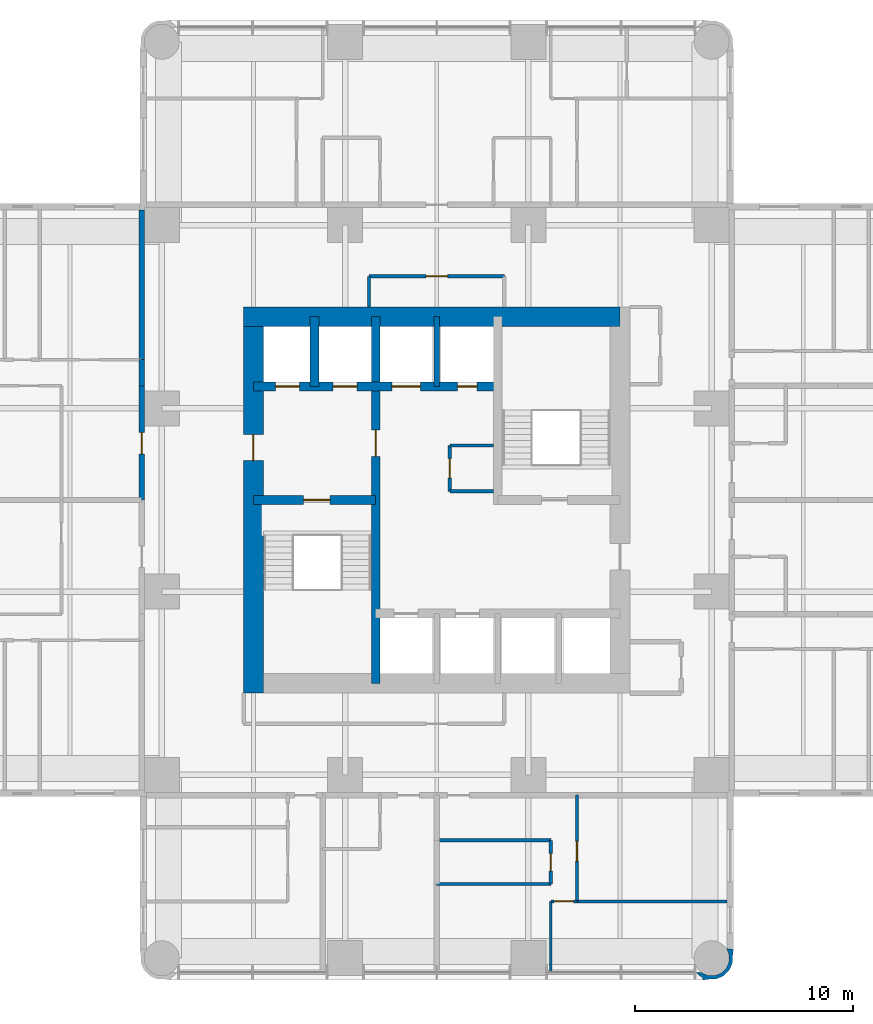
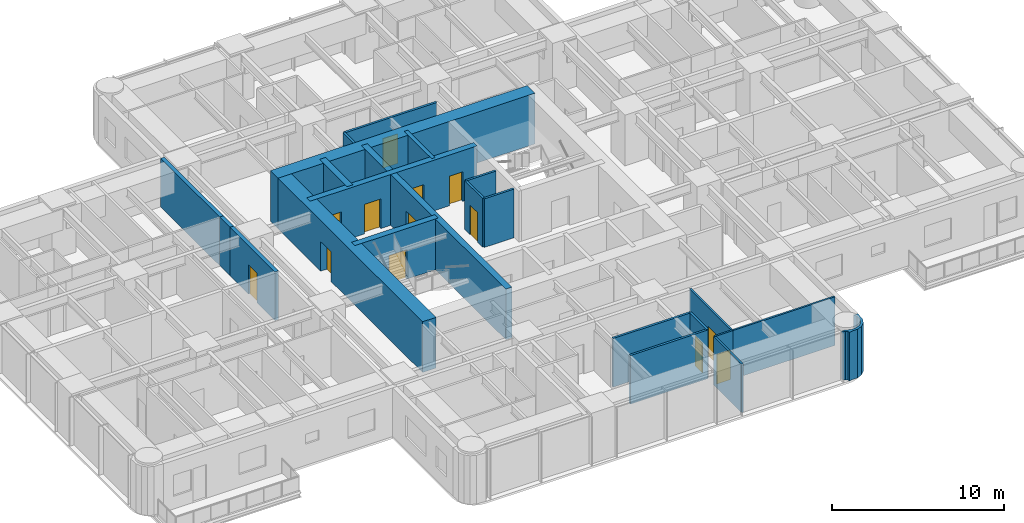
# One storey, part 8 of 14: 23 walls, 13 doors, 13 openings.
"""IFC4 building model written with IfcOpenShell, lengths in metres."""

from ifc_helpers import new_model, si_unit, direction, frame, frame_2d, origin, place, context, subcontext, project, spatial, polyline, rectangle, outline, extrude, material, layer, layer_set, type_object, element, fill, save


model = new_model("IFC4")

# Units and contexts
model_context = context("Model", 3, precision=1e-05, world=origin(), true_north=direction((0.0, 1.0)))
body_context = subcontext(model_context, "Body", "Model", "MODEL_VIEW")
ifc_project = project(units=[si_unit("LENGTHUNIT", "METRE"), si_unit("AREAUNIT", "SQUARE_METRE"), si_unit("VOLUMEUNIT", "CUBIC_METRE"), si_unit("PLANEANGLEUNIT", "RADIAN"), si_unit("MASSUNIT", "GRAM", prefix="KILO")], contexts=[model_context])

# Site, building, storey
site_placement = place(None, origin())
site = spatial("IfcSite", under=ifc_project, at=site_placement, CompositionType="ELEMENT")
building_placement = place(site_placement, origin())
building = spatial("IfcBuilding", under=site, at=building_placement, Name="Torre Alcanfor", CompositionType="ELEMENT")
storey_placement = place(building_placement, frame((0.0, 0.0, 166.5)))
storey = spatial("IfcBuildingStorey", under=building, at=storey_placement, Name="L43", CompositionType="ELEMENT", Elevation=166.5)

# Wall, opening, door
ifc_material_1 = material(Name="Concrete block masonry, hollow blocks NMX-C-404 9 MPa", Category="masonry")
ifc_layer_1 = layer(ifc_material_1, 0.25)
ifc_layer_set_1 = layer_set([ifc_layer_1], Name="Apartment entrance wall 250 EI 60")
wall_type_1 = type_object("IfcWallType", Name="Apartment entrance wall 250 EI 60", PredefinedType="PARTITIONING", material=ifc_layer_set_1)
wall_1_placement = place(storey_placement, frame((15.875, 29.39990234375, 0.0), z_axis=(0.0, 0.0, 1.0), x_axis=(0.0, 1.0, 0.0)))
wall_1 = element("IfcWall", 1, at=wall_1_placement, inside=storey, type_object=wall_type_1, Name="Partition L43-CORR / L43-W2-ZAG", PredefinedType="PARTITIONING", context=body_context, shape_type="SweptSolid", body=[
    extrude(rectangle(XDim=5.22900390625, YDim=0.25, at=frame_2d((2.614501953125, 0.0))), origin(), (0.0, 0.0, 1.0), 3.449951171875),
])
opening_1_placement = place(wall_1_placement, frame((2.10009765625, 0.0, 0.0)))
opening_1 = element("IfcOpeningElement", 2, at=opening_1_placement, cuts=wall_1, Name="Opening D-A1", PredefinedType="OPENING", context=body_context, shape_type="SweptSolid", body=[
    extrude(rectangle(XDim=1.0, YDim=2.10009765625, at=frame_2d((0.5, 1.050048828125))), frame((0.0, 0.135009765625, 0.0), z_axis=(0.0, -1.0, 0.0), x_axis=(1.0, 0.0, 0.0)), (0.0, 0.0, 1.0), 0.27001953125),
])
ifc_material_2 = material(Name="Galvanised steel sheet ASTM A653", Category="steel")
door_type_1 = type_object("IfcDoorType", Name="Apartment entrance door FD60 1000x2100", OperationType="SINGLE_SWING_LEFT", PredefinedType="DOOR", material=ifc_material_2)
door_1_placement = place(opening_1_placement, origin())
door_1 = element("IfcDoor", 3, at=door_1_placement, inside=storey, type_object=door_type_1, Name="Apartment entrance L43-W2", OperationType="SINGLE_SWING_LEFT", OverallHeight=2.10009765625, OverallWidth=1.0, PredefinedType="DOOR", context=body_context, shape_type="SweptSolid", body=[
    extrude(rectangle(XDim=1.0, YDim=2.10009765625, at=frame_2d((0.5, 1.050048828125))), frame((0.0, 0.02490234375, 0.0), z_axis=(0.0, -1.0, 0.0), x_axis=(1.0, 0.0, 0.0)), (0.0, 0.0, 1.0), 0.050048828125),
])
fill(opening_1, door_1)

# Walls
wall_2_placement = place(storey_placement, frame((15.875, 34.62890625, 0.0), z_axis=(0.0, 0.0, 1.0), x_axis=(0.0, 1.0, 0.0)))
element("IfcWall", 4, at=wall_2_placement, inside=storey, type_object=wall_type_1, Name="Partition L43-CORR / L43-W2-HALL", PredefinedType="PARTITIONING", context=body_context, shape_type="SweptSolid", body=[
    extrude(rectangle(XDim=1.2001953125, YDim=0.25, at=frame_2d((0.60009765625, 0.0))), origin(), (0.0, 0.0, 1.0), 3.449951171875),
])
wall_3_placement = place(storey_placement, frame((15.875, 35.8291015625, 0.0), z_axis=(0.0, 0.0, 1.0), x_axis=(0.0, 1.0, 0.0)))
element("IfcWall", 5, at=wall_3_placement, inside=storey, type_object=wall_type_1, Name="Partition L43-CORR / L43-W2-BED2", PredefinedType="PARTITIONING", context=body_context, shape_type="SweptSolid", body=[
    extrude(rectangle(XDim=6.870849609375, YDim=0.25, at=frame_2d((3.435546875, 0.0))), origin(), (0.0, 0.0, 1.0), 3.449951171875),
])

# Wall, opening, door
ifc_material_3 = material(Name="Gypsum board on steel studs", Category="steel")
ifc_layer_2 = layer(ifc_material_3, 0.1201171875)
ifc_layer_set_2 = layer_set([ifc_layer_2], Name="Apartment partition 120")
wall_type_2 = type_object("IfcWallType", Name="Apartment partition 120", PredefinedType="PARTITIONING", material=ifc_layer_set_2)
wall_4_placement = place(storey_placement, frame((35.8291015625, 15.875, 0.0), z_axis=(0.0, 0.0, 1.0), x_axis=(0.0, -1.0, 0.0)))
wall_4 = element("IfcWall", 6, at=wall_4_placement, inside=storey, type_object=wall_type_2, Name="Partition L43-S1-LIVING / L43-S1-BED2", PredefinedType="PARTITIONING", context=body_context, shape_type="SweptSolid", body=[
    extrude(rectangle(XDim=4.875, YDim=0.1201171875, at=frame_2d((2.4375, 0.0))), origin(), (0.0, 0.0, 1.0), 3.449951171875),
])
opening_2_placement = place(wall_4_placement, frame((2.125, 0.0, 0.0)))
opening_2 = element("IfcOpeningElement", 7, at=opening_2_placement, cuts=wall_4, Name="Opening D-R1", PredefinedType="OPENING", context=body_context, shape_type="SweptSolid", body=[
    extrude(rectangle(XDim=0.89990234375, YDim=2.10009765625, at=frame_2d((0.449951171875, 1.050048828125))), frame((0.0, 0.070068359375, 0.0), z_axis=(0.0, -1.0, 0.0), x_axis=(1.0, 0.0, 0.0)), (0.0, 0.0, 1.0), 0.14013671875),
])
ifc_material_4 = material(Name="Timber", Category="wood")
door_type_2 = type_object("IfcDoorType", Name="Internal door 900x2100", OperationType="SINGLE_SWING_LEFT", PredefinedType="DOOR", material=ifc_material_4)
door_2_placement = place(opening_2_placement, origin())
door_2 = element("IfcDoor", 8, at=door_2_placement, inside=storey, type_object=door_type_2, Name="Door L43-S1 bed2", OperationType="SINGLE_SWING_RIGHT", OverallHeight=2.10009765625, OverallWidth=0.89990234375, PredefinedType="DOOR", context=body_context, shape_type="SweptSolid", body=[
    extrude(rectangle(XDim=0.89990234375, YDim=2.10009765625, at=frame_2d((0.449951171875, 1.050048828125))), frame((0.0, 0.02490234375, 0.0), z_axis=(0.0, -1.0, 0.0), x_axis=(1.0, 0.0, 0.0)), (0.0, 0.0, 1.0), 0.050048828125),
])
fill(opening_2, door_2)

wall_5_placement = place(storey_placement, frame((35.8291015625, 11.0, 0.0), z_axis=(0.0, 0.0, 1.0), x_axis=(-1.0, 0.0, 0.0)))
wall_5 = element("IfcWall", 9, at=wall_5_placement, inside=storey, type_object=wall_type_2, Name="Partition L43-S1-LIVING / L43-S1-MASTER", PredefinedType="PARTITIONING", context=body_context, shape_type="SweptSolid", body=[
    extrude(rectangle(XDim=1.2001953125, YDim=0.1201171875, at=frame_2d((0.60009765625, 0.0))), origin(), (0.0, 0.0, 1.0), 3.449951171875),
])
opening_3_placement = place(wall_5_placement, frame((0.14892578125, 0.0, 0.0)))
opening_3 = element("IfcOpeningElement", 10, at=opening_3_placement, cuts=wall_5, Name="Opening D-R1", PredefinedType="OPENING", context=body_context, shape_type="SweptSolid", body=[
    extrude(rectangle(XDim=0.89990234375, YDim=2.10009765625, at=frame_2d((0.449951171875, 1.050048828125))), frame((0.0, 0.070068359375, 0.0), z_axis=(0.0, -1.0, 0.0), x_axis=(1.0, 0.0, 0.0)), (0.0, 0.0, 1.0), 0.14013671875),
])
door_3_placement = place(opening_3_placement, origin())
door_3 = element("IfcDoor", 11, at=door_3_placement, inside=storey, type_object=door_type_2, Name="Door L43-S1 master", OperationType="SINGLE_SWING_RIGHT", OverallHeight=2.10009765625, OverallWidth=0.89990234375, PredefinedType="DOOR", context=body_context, shape_type="SweptSolid", body=[
    extrude(rectangle(XDim=0.89990234375, YDim=2.10009765625, at=frame_2d((0.449951171875, 1.050048828125))), frame((0.0, 0.02490234375, 0.0), z_axis=(0.0, -1.0, 0.0), x_axis=(1.0, 0.0, 0.0)), (0.0, 0.0, 1.0), 0.050048828125),
])
fill(opening_3, door_3)

# Walls
wall_6_placement = place(storey_placement, frame((34.62890625, 11.0, 0.0), z_axis=(0.0, 0.0, 1.0), x_axis=(0.0, -1.0, 0.0)))
element("IfcWall", 12, at=wall_6_placement, inside=storey, type_object=wall_type_2, Name="Partition L43-S1-LIVING / L43-S1-MASTER", PredefinedType="PARTITIONING", context=body_context, shape_type="SweptSolid", body=[
    extrude(rectangle(XDim=3.25, YDim=0.1201171875, at=frame_2d((1.625, 0.0))), origin(), (0.0, 0.0, 1.0), 3.449951171875),
])
wall_7_placement = place(storey_placement, frame((35.8291015625, 11.0, 0.0), z_axis=(0.0, 0.0, 1.0), x_axis=(1.0, 0.0, 0.0)))
element("IfcWall", 13, at=wall_7_placement, inside=storey, type_object=wall_type_2, Name="Partition L43-S1-BED2 / L43-S1-MASTER", PredefinedType="PARTITIONING", context=body_context, shape_type="SweptSolid", body=[
    extrude(rectangle(XDim=6.870849609375, YDim=0.1201171875, at=frame_2d((3.435546875, 0.0))), origin(), (0.0, 0.0, 1.0), 3.449951171875),
])

# Wall, opening, door
ifc_material_5 = material(Name="Concrete f'c 70 MPa", Category="concrete")
ifc_layer_3 = layer(ifc_material_5, 0.39990234375)
ifc_layer_set_3 = layer_set([ifc_layer_3], Name="Core inner wall 400 f'c70")
wall_type_3 = type_object("IfcWallType", Name="Core inner wall 400 f'c70", PredefinedType="SHEAR", material=ifc_layer_set_3)
wall_8_placement = place(storey_placement, frame((26.60009765625, 21.0, 0.0), z_axis=(0.0, 0.0, 1.0), x_axis=(0.0, 1.0, 0.0)))
wall_8 = element("IfcWall", 14, at=wall_8_placement, inside=storey, type_object=wall_type_3, Name="Core wall X266 L43", PredefinedType="SHEAR", context=body_context, shape_type="SweptSolid", body=[
    extrude(rectangle(XDim=16.800048828125, YDim=0.39990234375, at=frame_2d((8.39990234375, 0.0))), origin(), (0.0, 0.0, 1.0), 3.60009765625),
])
opening_4_placement = place(wall_8_placement, frame((10.39990234375, 0.0, 0.0)))
opening_4 = element("IfcOpeningElement", 15, at=opening_4_placement, cuts=wall_8, Name="Opening D-L1", PredefinedType="OPENING", context=body_context, shape_type="SweptSolid", body=[
    extrude(rectangle(XDim=1.199951171875, YDim=2.10009765625, at=frame_2d((0.60009765625, 1.050048828125))), frame((0.0, 0.2099609375, 0.0), z_axis=(0.0, -1.0, 0.0), x_axis=(1.0, 0.0, 0.0)), (0.0, 0.0, 1.0), 0.419921875),
])
ifc_material_6 = material(Name="Galvanised steel sheet ASTM A653", Category="steel")
door_type_3 = type_object("IfcDoorType", Name="Lobby door FD120 1200x2100", OperationType="SINGLE_SWING_LEFT", PredefinedType="DOOR", material=ifc_material_6)
door_4_placement = place(opening_4_placement, origin())
door_4 = element("IfcDoor", 16, at=door_4_placement, inside=storey, type_object=door_type_3, Name="Lift lobby door L43", OperationType="SINGLE_SWING_LEFT", OverallHeight=2.10009765625, OverallWidth=1.199951171875, PredefinedType="DOOR", context=body_context, shape_type="SweptSolid", body=[
    extrude(rectangle(XDim=1.199951171875, YDim=2.10009765625, at=frame_2d((0.60009765625, 1.050048828125))), frame((0.0, 0.02490234375, 0.0), z_axis=(0.0, -1.0, 0.0), x_axis=(1.0, 0.0, 0.0)), (0.0, 0.0, 1.0), 0.050048828125),
])
fill(opening_4, door_4)

wall_9_placement = place(storey_placement, frame((21.0, 29.39990234375, 0.0), z_axis=(0.0, 0.0, 1.0), x_axis=(1.0, 0.0, 0.0)))
wall_9 = element("IfcWall", 17, at=wall_9_placement, inside=storey, type_object=wall_type_3, Name="Core wall Y294W L43", PredefinedType="SHEAR", context=body_context, shape_type="SweptSolid", body=[
    extrude(rectangle(XDim=5.60009765625, YDim=0.39990234375, at=frame_2d((2.800048828125, 0.0))), origin(), (0.0, 0.0, 1.0), 3.60009765625),
])
opening_5_placement = place(wall_9_placement, frame((2.300048828125, 0.0, 0.0)))
opening_5 = element("IfcOpeningElement", 18, at=opening_5_placement, cuts=wall_9, Name="Opening D-S2", PredefinedType="OPENING", context=body_context, shape_type="SweptSolid", body=[
    extrude(rectangle(XDim=1.199951171875, YDim=2.10009765625, at=frame_2d((0.60009765625, 1.050048828125))), frame((0.0, 0.2099609375, 0.0), z_axis=(0.0, -1.0, 0.0), x_axis=(1.0, 0.0, 0.0)), (0.0, 0.0, 1.0), 0.419921875),
])
ifc_material_7 = material(Name="Galvanised steel sheet ASTM A653", Category="steel")
door_type_4 = type_object("IfcDoorType", Name="Stair enclosure door FD120 1200x2100", OperationType="SINGLE_SWING_LEFT", PredefinedType="DOOR", material=ifc_material_7)
door_5_placement = place(opening_5_placement, frame((1.199951171875, 0.0, 0.0), z_axis=(0.0, 0.0, 1.0), x_axis=(-1.0, 0.0, 0.0)))
door_5 = element("IfcDoor", 19, at=door_5_placement, inside=storey, type_object=door_type_4, Name="Stair S1 door L43", OperationType="SINGLE_SWING_LEFT", OverallHeight=2.10009765625, OverallWidth=1.199951171875, PredefinedType="DOOR", context=body_context, shape_type="SweptSolid", body=[
    extrude(rectangle(XDim=1.199951171875, YDim=2.10009765625, at=frame_2d((0.599853515625, 1.050048828125))), frame((0.0, 0.025146484375, 0.0), z_axis=(0.0, -1.0, 0.0), x_axis=(1.0, 0.0, 0.0)), (0.0, 0.0, 1.0), 0.050048828125),
])
fill(opening_5, door_5)

# Wall, openings, doors
wall_10_placement = place(storey_placement, frame((21.0, 34.60009765625, 0.0), z_axis=(0.0, 0.0, 1.0), x_axis=(1.0, 0.0, 0.0)))
wall_10 = element("IfcWall", 20, at=wall_10_placement, inside=storey, type_object=wall_type_3, Name="Core wall Y346 L43", PredefinedType="SHEAR", context=body_context, shape_type="SweptSolid", body=[
    extrude(rectangle(XDim=11.199951171875, YDim=0.39990234375, at=frame_2d((5.60009765625, 0.0))), origin(), (0.0, 0.0, 1.0), 3.60009765625),
])
opening_6_placement = place(wall_10_placement, frame((9.35009765625, 0.0, 0.0)))
opening_6 = element("IfcOpeningElement", 21, at=opening_6_placement, cuts=wall_10, Name="Opening D-Q1", PredefinedType="OPENING", context=body_context, shape_type="SweptSolid", body=[
    extrude(rectangle(XDim=0.89990234375, YDim=2.10009765625, at=frame_2d((0.449951171875, 1.050048828125))), frame((0.0, 0.2099609375, 0.0), z_axis=(0.0, -1.0, 0.0), x_axis=(1.0, 0.0, 0.0)), (0.0, 0.0, 1.0), 0.419921875),
])
opening_7_placement = place(wall_10_placement, frame((1.0, 0.0, 0.0)))
opening_7 = element("IfcOpeningElement", 22, at=opening_7_placement, cuts=wall_10, Name="Opening LD2", PredefinedType="OPENING", context=body_context, shape_type="SweptSolid", body=[
    extrude(rectangle(XDim=1.10009765625, YDim=2.10009765625, at=frame_2d((0.550048828125, 1.050048828125))), frame((0.0, 0.2099609375, 0.0), z_axis=(0.0, -1.0, 0.0), x_axis=(1.0, 0.0, 0.0)), (0.0, 0.0, 1.0), 0.419921875),
])
opening_8_placement = place(wall_10_placement, frame((3.64990234375, 0.0, 0.0)))
opening_8 = element("IfcOpeningElement", 23, at=opening_8_placement, cuts=wall_10, Name="Opening LD2", PredefinedType="OPENING", context=body_context, shape_type="SweptSolid", body=[
    extrude(rectangle(XDim=1.10009765625, YDim=2.10009765625, at=frame_2d((0.550048828125, 1.050048828125))), frame((0.0, 0.2099609375, 0.0), z_axis=(0.0, -1.0, 0.0), x_axis=(1.0, 0.0, 0.0)), (0.0, 0.0, 1.0), 0.419921875),
])
opening_9_placement = place(wall_10_placement, frame((6.35009765625, 0.0, 0.0)))
opening_9 = element("IfcOpeningElement", 24, at=opening_9_placement, cuts=wall_10, Name="Opening LD3", PredefinedType="OPENING", context=body_context, shape_type="SweptSolid", body=[
    extrude(rectangle(XDim=1.300048828125, YDim=2.10009765625, at=frame_2d((0.64990234375, 1.050048828125))), frame((0.0, 0.2099609375, 0.0), z_axis=(0.0, -1.0, 0.0), x_axis=(1.0, 0.0, 0.0)), (0.0, 0.0, 1.0), 0.419921875),
])
ifc_material_8 = material(Name="Galvanised steel sheet ASTM A653", Category="steel")
door_type_5 = type_object("IfcDoorType", Name="Firefighting lift landing door 1100x2100", OperationType="DOUBLE_DOOR_SLIDING", PredefinedType="DOOR", material=ifc_material_8)
door_6_placement = place(opening_7_placement, origin())
door_6 = element("IfcDoor", 25, at=door_6_placement, inside=storey, type_object=door_type_5, Name="Lift landing door FL1 L43", OperationType="DOUBLE_DOOR_SLIDING", OverallHeight=2.10009765625, OverallWidth=1.10009765625, PredefinedType="DOOR", context=body_context, shape_type="SweptSolid", body=[
    extrude(rectangle(XDim=1.10009765625, YDim=2.10009765625, at=frame_2d((0.550048828125, 1.050048828125))), frame((0.0, 0.02490234375, 0.0), z_axis=(0.0, -1.0, 0.0), x_axis=(1.0, 0.0, 0.0)), (0.0, 0.0, 1.0), 0.050048828125),
])
fill(opening_7, door_6)
door_7_placement = place(opening_8_placement, origin())
door_7 = element("IfcDoor", 26, at=door_7_placement, inside=storey, type_object=door_type_5, Name="Lift landing door FL2 L43", OperationType="DOUBLE_DOOR_SLIDING", OverallHeight=2.10009765625, OverallWidth=1.10009765625, PredefinedType="DOOR", context=body_context, shape_type="SweptSolid", body=[
    extrude(rectangle(XDim=1.10009765625, YDim=2.10009765625, at=frame_2d((0.550048828125, 1.050048828125))), frame((0.0, 0.02490234375, 0.0), z_axis=(0.0, -1.0, 0.0), x_axis=(1.0, 0.0, 0.0)), (0.0, 0.0, 1.0), 0.050048828125),
])
fill(opening_8, door_7)
ifc_material_9 = material(Name="Galvanised steel sheet ASTM A653", Category="steel")
door_type_6 = type_object("IfcDoorType", Name="Riser access door FD120 900x2100", OperationType="SINGLE_SWING_LEFT", PredefinedType="DOOR", material=ifc_material_9)
door_8_placement = place(opening_6_placement, origin())
door_8 = element("IfcDoor", 27, at=door_8_placement, inside=storey, type_object=door_type_6, Name="Riser door L43", OperationType="SINGLE_SWING_LEFT", OverallHeight=2.10009765625, OverallWidth=0.89990234375, PredefinedType="DOOR", context=body_context, shape_type="SweptSolid", body=[
    extrude(rectangle(XDim=0.89990234375, YDim=2.10009765625, at=frame_2d((0.449951171875, 1.050048828125))), frame((0.0, 0.02490234375, 0.0), z_axis=(0.0, -1.0, 0.0), x_axis=(1.0, 0.0, 0.0)), (0.0, 0.0, 1.0), 0.050048828125),
])
fill(opening_6, door_8)
ifc_material_10 = material(Name="Galvanised steel sheet ASTM A653", Category="steel")
door_type_7 = type_object("IfcDoorType", Name="Service lift landing door 1300x2100", OperationType="DOUBLE_DOOR_SLIDING", PredefinedType="DOOR", material=ifc_material_10)
door_9_placement = place(opening_9_placement, origin())
door_9 = element("IfcDoor", 28, at=door_9_placement, inside=storey, type_object=door_type_7, Name="Lift landing door SL1 L43", OperationType="DOUBLE_DOOR_SLIDING", OverallHeight=2.10009765625, OverallWidth=1.300048828125, PredefinedType="DOOR", context=body_context, shape_type="SweptSolid", body=[
    extrude(rectangle(XDim=1.300048828125, YDim=2.10009765625, at=frame_2d((0.64990234375, 1.050048828125))), frame((0.0, 0.02490234375, 0.0), z_axis=(0.0, -1.0, 0.0), x_axis=(1.0, 0.0, 0.0)), (0.0, 0.0, 1.0), 0.050048828125),
])
fill(opening_9, door_9)

# Walls
wall_11_placement = place(storey_placement, frame((23.800048828125, 34.60009765625, 0.0), z_axis=(0.0, 0.0, 1.0), x_axis=(0.0, 1.0, 0.0)))
element("IfcWall", 29, at=wall_11_placement, inside=storey, type_object=wall_type_3, Name="Core wall X238 L43", PredefinedType="SHEAR", context=body_context, shape_type="SweptSolid", body=[
    extrude(rectangle(XDim=3.199951171875, YDim=0.39990234375, at=frame_2d((1.60009765625, 0.0))), origin(), (0.0, 0.0, 1.0), 3.60009765625),
])
ifc_material_11 = material(Name="Concrete f'c 70 MPa", Category="concrete")
ifc_layer_4 = layer(ifc_material_11, 0.25)
ifc_layer_set_4 = layer_set([ifc_layer_4], Name="Core shaft wall 250 f'c70")
wall_type_4 = type_object("IfcWallType", Name="Core shaft wall 250 f'c70", PredefinedType="SHEAR", material=ifc_layer_set_4)
wall_12_placement = place(storey_placement, frame((29.39990234375, 34.60009765625, 0.0), z_axis=(0.0, 0.0, 1.0), x_axis=(0.0, 1.0, 0.0)))
element("IfcWall", 30, at=wall_12_placement, inside=storey, type_object=wall_type_4, Name="Core wall X294N L43", PredefinedType="SHEAR", context=body_context, shape_type="SweptSolid", body=[
    extrude(rectangle(XDim=3.199951171875, YDim=0.25, at=frame_2d((1.60009765625, 0.0))), origin(), (0.0, 0.0, 1.0), 3.60009765625),
])
ifc_material_12 = material(Name="Concrete f'c 70 MPa", Category="concrete")
ifc_layer_5 = layer(ifc_material_12, 0.89990234375)
ifc_layer_set_5 = layer_set([ifc_layer_5], Name="Core wall 900 f'c70")
wall_type_5 = type_object("IfcWallType", Name="Core wall 900 f'c70", PredefinedType="SHEAR", material=ifc_layer_set_5)
wall_13_placement = place(storey_placement, frame((37.800048828125, 37.800048828125, 0.0), z_axis=(0.0, 0.0, 1.0), x_axis=(-1.0, 0.0, 0.0)))
element("IfcWall", 31, at=wall_13_placement, inside=storey, type_object=wall_type_5, Name="Core wall OUT-N L43", PredefinedType="SHEAR", context=body_context, shape_type="SweptSolid", body=[
    extrude(rectangle(XDim=17.25, YDim=0.89990234375, at=frame_2d((8.625, 0.0))), origin(), (0.0, 0.0, 1.0), 3.60009765625),
])

# Wall, opening, door
wall_14_placement = place(storey_placement, frame((21.0, 37.800048828125, 0.0), z_axis=(0.0, 0.0, 1.0), x_axis=(0.0, -1.0, 0.0)))
wall_14 = element("IfcWall", 32, at=wall_14_placement, inside=storey, type_object=wall_type_5, Name="Core wall OUT-W L43", PredefinedType="SHEAR", context=body_context, shape_type="SweptSolid", body=[
    extrude(rectangle(XDim=17.25, YDim=0.89990234375, at=frame_2d((8.625, 0.0))), origin(), (0.0, 0.0, 1.0), 3.60009765625),
])
opening_10_placement = place(wall_14_placement, frame((5.39990234375, 0.0, 0.0)))
opening_10 = element("IfcOpeningElement", 33, at=opening_10_placement, cuts=wall_14, Name="Opening D-L1", PredefinedType="OPENING", context=body_context, shape_type="SweptSolid", body=[
    extrude(rectangle(XDim=1.199951171875, YDim=2.10009765625, at=frame_2d((0.60009765625, 1.050048828125))), frame((0.0, 0.4599609375, 0.0), z_axis=(0.0, -1.0, 0.0), x_axis=(1.0, 0.0, 0.0)), (0.0, 0.0, 1.0), 0.919921875),
])
door_10_placement = place(opening_10_placement, origin())
door_10 = element("IfcDoor", 34, at=door_10_placement, inside=storey, type_object=door_type_3, Name="Firefighting lobby door L43", OperationType="SINGLE_SWING_LEFT", OverallHeight=2.10009765625, OverallWidth=1.199951171875, PredefinedType="DOOR", context=body_context, shape_type="SweptSolid", body=[
    extrude(rectangle(XDim=1.199951171875, YDim=2.10009765625, at=frame_2d((0.60009765625, 1.050048828125))), frame((0.0, 0.02490234375, 0.0), z_axis=(0.0, -1.0, 0.0), x_axis=(1.0, 0.0, 0.0)), (0.0, 0.0, 1.0), 0.050048828125),
])
fill(opening_10, door_10)

ifc_material_13 = material(Name="Concrete block masonry, hollow blocks NMX-C-404 9 MPa", Category="masonry")
ifc_layer_6 = layer(ifc_material_13, 0.14990234375)
ifc_layer_set_6 = layer_set([ifc_layer_6], Name="Residents' room partition 150")
wall_type_6 = type_object("IfcWallType", Name="Residents' room partition 150", PredefinedType="PARTITIONING", material=ifc_layer_set_6)
wall_15_placement = place(storey_placement, frame((32.5, 39.64990234375, 0.0), z_axis=(0.0, 0.0, 1.0), x_axis=(-1.0, 0.0, 0.0)))
wall_15 = element("IfcWall", 35, at=wall_15_placement, inside=storey, type_object=wall_type_6, Name="Partition L43-CORR / L43-G01", PredefinedType="PARTITIONING", context=body_context, shape_type="SweptSolid", body=[
    extrude(rectangle(XDim=6.199951171875, YDim=0.14990234375, at=frame_2d((3.10009765625, 0.0))), origin(), (0.0, 0.0, 1.0), 3.449951171875),
])
opening_11_placement = place(wall_15_placement, frame((2.60009765625, 0.0, 0.0)))
opening_11 = element("IfcOpeningElement", 36, at=opening_11_placement, cuts=wall_15, Name="Opening D-M1", PredefinedType="OPENING", context=body_context, shape_type="SweptSolid", body=[
    extrude(rectangle(XDim=1.0, YDim=2.10009765625, at=frame_2d((0.5, 1.050048828125))), frame((0.0, 0.0849609375, 0.0), z_axis=(0.0, -1.0, 0.0), x_axis=(1.0, 0.0, 0.0)), (0.0, 0.0, 1.0), 0.169921875),
])
ifc_material_14 = material(Name="Timber", Category="wood")
door_type_8 = type_object("IfcDoorType", Name="Residents' room door 1000x2100", OperationType="SINGLE_SWING_LEFT", PredefinedType="DOOR", material=ifc_material_14)
door_11_placement = place(opening_11_placement, origin())
door_11 = element("IfcDoor", 37, at=door_11_placement, inside=storey, type_object=door_type_8, Name="Door L43-G01 cleaners' store", OperationType="SINGLE_SWING_LEFT", OverallHeight=2.10009765625, OverallWidth=1.0, PredefinedType="DOOR", context=body_context, shape_type="SweptSolid", body=[
    extrude(rectangle(XDim=1.0, YDim=2.10009765625, at=frame_2d((0.5, 1.050048828125))), frame((0.0, 0.02490234375, 0.0), z_axis=(0.0, -1.0, 0.0), x_axis=(1.0, 0.0, 0.0)), (0.0, 0.0, 1.0), 0.050048828125),
])
fill(opening_11, door_11)

# Walls
wall_16_placement = place(storey_placement, frame((26.300048828125, 39.64990234375, 0.0), z_axis=(0.0, 0.0, 1.0), x_axis=(0.0, -1.0, 0.0)))
element("IfcWall", 38, at=wall_16_placement, inside=storey, type_object=wall_type_6, Name="Partition L43-CORR / L43-G01", PredefinedType="PARTITIONING", context=body_context, shape_type="SweptSolid", body=[
    extrude(rectangle(XDim=1.39990234375, YDim=0.14990234375, at=frame_2d((0.699951171875, 0.0))), origin(), (0.0, 0.0, 1.0), 3.449951171875),
])
ifc_material_15 = material(Name="Limestone cladding", Category="masonry")
ifc_layer_7 = layer(ifc_material_15, 0.0400390625, Name="Facing")
ifc_material_16 = material(Name="Ventilated air cavity")
ifc_layer_8 = layer(ifc_material_16, 0.02001953125, ventilated=True, Name="Ventilated joint")
ifc_material_17 = material(Name="Mineral wool insulation", Category="insulation")
ifc_layer_9 = layer(ifc_material_17, 0.10009765625, Name="Insulation")
ifc_material_18 = material(Name="Concrete f'c 35 MPa", Category="concrete")
ifc_layer_10 = layer(ifc_material_18, 0.139892578125, Name="Backing")
ifc_layer_set_7 = layer_set([ifc_layer_7, ifc_layer_8, ifc_layer_9, ifc_layer_10], Name="Rounded corner pier stone-clad 300")
wall_type_7 = type_object("IfcWallType", Name="Rounded corner pier stone-clad 300", PredefinedType="SOLIDWALL", material=ifc_layer_set_7)
wall_17_placement = place(storey_placement, frame((41.351928198, 7.804682488, 0.0), z_axis=(0.0, 0.0, 1.0), x_axis=(0.343276641956, -0.93923434088, 0.0)))
element("IfcWall", 39, at=wall_17_placement, inside=storey, type_object=wall_type_7, Name="Corner pier L43 16", PredefinedType="SOLIDWALL", context=body_context, shape_type="SweptSolid", body=[
    extrude(outline(polyline([(-0.3691376945080963, 1.8896116474277462), (-0.5092849006082865, 1.6213723434863179), (-0.4904818693699753, 1.614500106025285), (-0.47937395557818696, 1.6086207727425919), (-0.21134604487110653, 1.620093396259431), (0.08789731812884549, 1.5107242513003132), (0.3226193813038204, 1.29522875171589), (0.4568297522668325, 1.0059961170728082), (0.47018090116819644, 0.6876338955306306), (0.3608955639829935, 0.3886198377896824), (0.14540006439857034, 0.15389777461470747), (0.10805580570731482, 0.136354268630141), (0.030952653705484567, -0.07460656965335008), (0.24105149879401783, 0.023022242841209073), (0.33345144333490195, 0.12363819812835387), (0.46537419024986754, 0.09413770889727405), (0.5320249985235461, 0.39313792602006), (0.6305829406476248, 0.6628009106085226), (0.6143313238115743, 1.0443478664441104), (0.4534111053034037, 1.390650880852334), (0.17226586261802523, 1.6491069643028293), (-0.09739712197043726, 1.7476649064269079), (-0.3691376945080963, 1.8896116474277462)])), origin(), (0.0, 0.0, 1.0), 3.449951171875),
])
ifc_material_19 = material(Name="Cement board on steel studs", Category="steel")
ifc_layer_11 = layer(ifc_material_19, 0.14990234375)
ifc_layer_set_8 = layer_set([ifc_layer_11], Name="Wet area partition 150")
wall_type_8 = type_object("IfcWallType", Name="Wet area partition 150", PredefinedType="PARTITIONING", material=ifc_layer_set_8)
wall_18_placement = place(storey_placement, frame((29.39990234375, 11.800048828125, 0.0), z_axis=(0.0, 0.0, 1.0), x_axis=(1.0, 0.0, 0.0)))
element("IfcWall", 40, at=wall_18_placement, inside=storey, type_object=wall_type_8, Name="Partition L43-S1-BATH / L43-S1-LIVING", PredefinedType="PARTITIONING", context=body_context, shape_type="SweptSolid", body=[
    extrude(rectangle(XDim=5.22900390625, YDim=0.14990234375, at=frame_2d((2.614501953125, 0.0))), origin(), (0.0, 0.0, 1.0), 3.449951171875),
])

# Wall, opening, door
wall_19_placement = place(storey_placement, frame((34.62890625, 11.800048828125, 0.0), z_axis=(0.0, 0.0, 1.0), x_axis=(0.0, 1.0, 0.0)))
wall_19 = element("IfcWall", 41, at=wall_19_placement, inside=storey, type_object=wall_type_8, Name="Partition L43-S1-BATH / L43-S1-LIVING", PredefinedType="PARTITIONING", context=body_context, shape_type="SweptSolid", body=[
    extrude(rectangle(XDim=2.0, YDim=0.14990234375, at=frame_2d((1.0, 0.0))), origin(), (0.0, 0.0, 1.0), 3.449951171875),
])
opening_12_placement = place(wall_19_placement, frame((0.60009765625, 0.0, 0.0)))
opening_12 = element("IfcOpeningElement", 42, at=opening_12_placement, cuts=wall_19, Name="Opening D-R2", PredefinedType="OPENING", context=body_context, shape_type="SweptSolid", body=[
    extrude(rectangle(XDim=0.800048828125, YDim=2.10009765625, at=frame_2d((0.39990234375, 1.050048828125))), frame((0.0, 0.0849609375, 0.0), z_axis=(0.0, -1.0, 0.0), x_axis=(1.0, 0.0, 0.0)), (0.0, 0.0, 1.0), 0.169921875),
])
ifc_material_20 = material(Name="Timber", Category="wood")
door_type_9 = type_object("IfcDoorType", Name="Bathroom door 800x2100", OperationType="SINGLE_SWING_LEFT", PredefinedType="DOOR", material=ifc_material_20)
door_12_placement = place(opening_12_placement, origin())
door_12 = element("IfcDoor", 43, at=door_12_placement, inside=storey, type_object=door_type_9, Name="Door L43-S1 bath", OperationType="SINGLE_SWING_LEFT", OverallHeight=2.10009765625, OverallWidth=0.800048828125, PredefinedType="DOOR", context=body_context, shape_type="SweptSolid", body=[
    extrude(rectangle(XDim=0.800048828125, YDim=2.10009765625, at=frame_2d((0.39990234375, 1.050048828125))), frame((0.0, 0.02490234375, 0.0), z_axis=(0.0, -1.0, 0.0), x_axis=(1.0, 0.0, 0.0)), (0.0, 0.0, 1.0), 0.050048828125),
])
fill(opening_12, door_12)

# Walls
wall_20_placement = place(storey_placement, frame((34.62890625, 13.800048828125, 0.0), z_axis=(0.0, 0.0, 1.0), x_axis=(-1.0, 0.0, 0.0)))
element("IfcWall", 44, at=wall_20_placement, inside=storey, type_object=wall_type_8, Name="Partition L43-S1-BATH / L43-S1-LIVING", PredefinedType="PARTITIONING", context=body_context, shape_type="SweptSolid", body=[
    extrude(rectangle(XDim=5.22900390625, YDim=0.14990234375, at=frame_2d((2.614501953125, 0.0))), origin(), (0.0, 0.0, 1.0), 3.449951171875),
])
wall_21_placement = place(storey_placement, frame((32.0, 29.800048828125, 0.0), z_axis=(0.0, 0.0, 1.0), x_axis=(-1.0, 0.0, 0.0)))
element("IfcWall", 45, at=wall_21_placement, inside=storey, type_object=wall_type_8, Name="Partition L43-LL / L43-CR1", PredefinedType="PARTITIONING", context=body_context, shape_type="SweptSolid", body=[
    extrude(rectangle(XDim=2.0, YDim=0.14990234375, at=frame_2d((1.0, 0.0))), origin(), (0.0, 0.0, 1.0), 3.449951171875),
])

# Wall, opening, door
wall_22_placement = place(storey_placement, frame((30.0, 29.800048828125, 0.0), z_axis=(0.0, 0.0, 1.0), x_axis=(0.0, 1.0, 0.0)))
wall_22 = element("IfcWall", 46, at=wall_22_placement, inside=storey, type_object=wall_type_8, Name="Partition L43-LL / L43-CR1", PredefinedType="PARTITIONING", context=body_context, shape_type="SweptSolid", body=[
    extrude(rectangle(XDim=2.099853515625, YDim=0.14990234375, at=frame_2d((1.0498046875, 0.0))), origin(), (0.0, 0.0, 1.0), 3.449951171875),
])
opening_13_placement = place(wall_22_placement, frame((0.60009765625, 0.0, 0.0)))
opening_13 = element("IfcOpeningElement", 47, at=opening_13_placement, cuts=wall_22, Name="Opening D-W1", PredefinedType="OPENING", context=body_context, shape_type="SweptSolid", body=[
    extrude(rectangle(XDim=0.89990234375, YDim=2.10009765625, at=frame_2d((0.449951171875, 1.050048828125))), frame((0.0, 0.0849609375, 0.0), z_axis=(0.0, -1.0, 0.0), x_axis=(1.0, 0.0, 0.0)), (0.0, 0.0, 1.0), 0.169921875),
])
ifc_material_21 = material(Name="Timber", Category="wood")
door_type_10 = type_object("IfcDoorType", Name="Toilet door 900x2100", OperationType="SINGLE_SWING_LEFT", PredefinedType="DOOR", material=ifc_material_21)
door_13_placement = place(opening_13_placement, frame((0.89990234375, 0.0, 0.0), z_axis=(0.0, 0.0, 1.0), x_axis=(-1.0, 0.0, 0.0)))
door_13 = element("IfcDoor", 48, at=door_13_placement, inside=storey, type_object=door_type_10, Name="Staff WC door L43", OperationType="SINGLE_SWING_RIGHT", OverallHeight=2.10009765625, OverallWidth=0.89990234375, PredefinedType="DOOR", context=body_context, shape_type="SweptSolid", body=[
    extrude(rectangle(XDim=0.89990234375, YDim=2.10009765625, at=frame_2d((0.449951171875, 1.050048828125))), frame((0.0, 0.025146484375, 0.0), z_axis=(0.0, -1.0, 0.0), x_axis=(1.0, 0.0, 0.0)), (0.0, 0.0, 1.0), 0.050048828125),
])
fill(opening_13, door_13)

# Wall
wall_23_placement = place(storey_placement, frame((30.0, 31.89990234375, 0.0), z_axis=(0.0, 0.0, 1.0), x_axis=(1.0, 0.0, 0.0)))
element("IfcWall", 49, at=wall_23_placement, inside=storey, type_object=wall_type_8, Name="Partition L43-LL / L43-CR1", PredefinedType="PARTITIONING", context=body_context, shape_type="SweptSolid", body=[
    extrude(rectangle(XDim=2.0, YDim=0.14990234375, at=frame_2d((1.0, 0.0))), origin(), (0.0, 0.0, 1.0), 3.449951171875),
])

save(model, "model.ifc")
